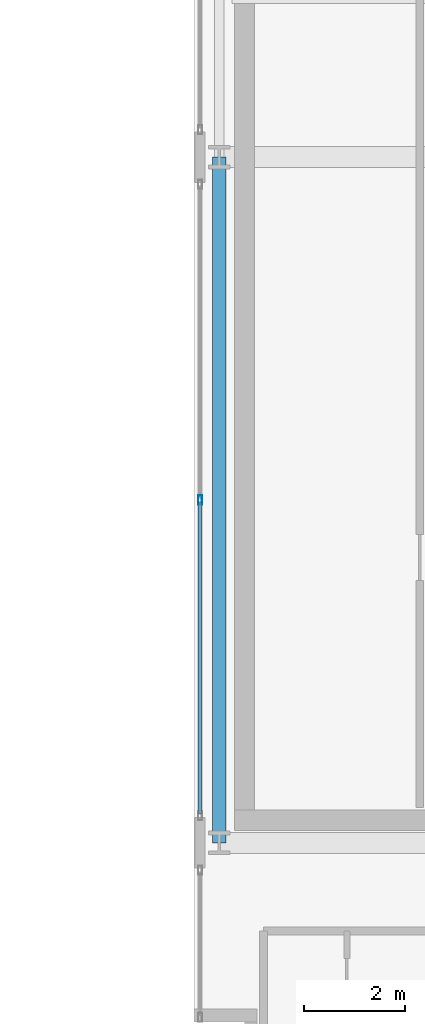
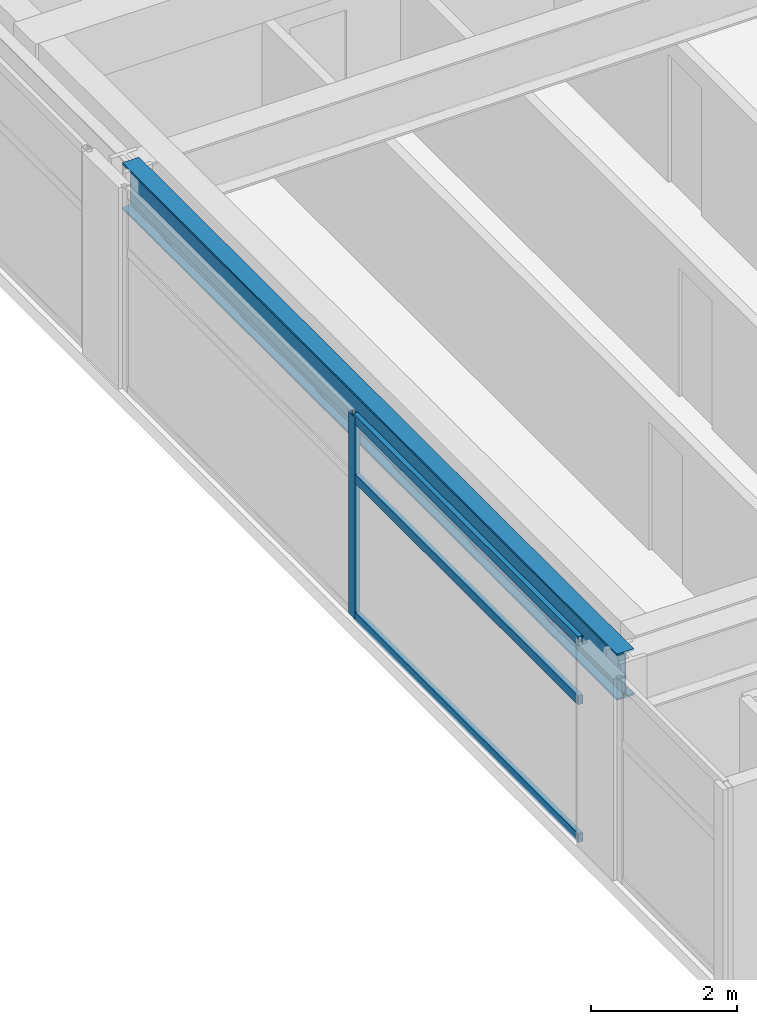
# One storey, part 9 of 25: 4 members, 1 beam, 1 element without a shape of its own.
"""IFC4 building model written with IfcOpenShell, lengths in metres."""

from ifc_helpers import new_model, si_unit, direction, frame, origin, origin_2d, place, context, subcontext, project, spatial, hollow_rectangle, i_section, extrude, source, transform, mapped, material, layer, layer_set, material_profile, profile_set, type_object, element, aggregate, save


model = new_model("IFC4")

# Units and contexts
model_context = context("Model", 3, precision=1e-05, world=origin(), true_north=direction((0.0, 1.0)))
body_context = subcontext(model_context, "Body", "Model", "MODEL_VIEW")
ifc_project = project(units=[si_unit("LENGTHUNIT", "METRE"), si_unit("AREAUNIT", "SQUARE_METRE"), si_unit("VOLUMEUNIT", "CUBIC_METRE"), si_unit("PLANEANGLEUNIT", "RADIAN"), si_unit("MASSUNIT", "GRAM", prefix="KILO")], contexts=[model_context])

# Site, building, storey
site_placement = place(None, origin())
site = spatial("IfcSite", under=ifc_project, at=site_placement, CompositionType="ELEMENT")
building_placement = place(site_placement, origin())
building = spatial("IfcBuilding", under=site, at=building_placement, Name="Ocotamira Hotel", CompositionType="ELEMENT")
storey_placement = place(building_placement, frame((0.0, 0.0, 254.39990234375)))
storey = spatial("IfcBuildingStorey", under=building, at=storey_placement, Name="L64", CompositionType="ELEMENT", Elevation=254.39990234375)

# Beam
ifc_material_1 = material(Name="Steel ASTM A992 Grade 50", Category="steel")
ifc_material_profile_1 = material_profile(ifc_material_1, i_section(OverallWidth=0.26611328125, OverallDepth=0.779052734375, WebThickness=0.0166015625, FlangeThickness=0.030029296875, FilletRadius=0.01806640625, at=origin_2d()), Name="W30X148")
ifc_profile_set_1 = profile_set([ifc_material_profile_1], Name="Steel ASTM A992 Grade 50")
beam_type = type_object("IfcBeamType", Name="BM-GIRD-W30X148", PredefinedType="BEAM", material=ifc_profile_set_1)
shared_shape_1 = source(origin(), body_context, "Body", "SweptSolid", [
    extrude(i_section(OverallWidth=0.26611328125, OverallDepth=0.779052734375, WebThickness=0.0166015625, FlangeThickness=0.030029296875, FilletRadius=0.01806640625, at=origin_2d()), origin(), (0.0, 0.0, 1.0), 13.599853515625),
])
beam_placement = place(storey_placement, frame((40.5, 14.550048828125, 2.990478515625), z_axis=(0.0, 1.0, 0.0), x_axis=(-1.0, 0.0, 0.0)))
element("IfcBeam", 1, at=beam_placement, inside=storey, type_object=beam_type, Name="L64 Beam X40.5 Y14.55-28.15", PredefinedType="BEAM", context=body_context, shape_type="MappedRepresentation", body=[
    mapped(shared_shape_1, transform((0.0, 0.0, 0.0), scale=1.0)),
])

# Curtain wall, members
ifc_material_2 = material(Name="Anodised pale-metal aluminium and solar glass", Category="aluminium")
ifc_layer = layer(ifc_material_2, 0.2099609375)
ifc_layer_set = layer_set([ifc_layer], Name="Anodised pale-metal aluminium and solar glass")
curtain_wall_type = type_object("IfcCurtainWallType", Name="CW-SYS7-PEAK", PredefinedType="NOTDEFINED", material=ifc_layer_set)
curtain_wall_placement = place(storey_placement, origin())
curtain_wall = element("IfcCurtainWall", 2, at=curtain_wall_placement, inside=storey, type_object=curtain_wall_type, Name="L64 Curtain Wall CW-7 CW-L64-EI2", PredefinedType="NOTDEFINED")
ifc_material_3 = material(Name="Anodised pale-metal aluminium 6063-T6", Category="aluminium")
ifc_material_profile_2 = material_profile(ifc_material_3, hollow_rectangle(XDim=0.080078125, YDim=0.179931640625, WallThickness=0.006103515625, at=origin_2d()), Name="HSS180X80X6")
ifc_profile_set_2 = profile_set([ifc_material_profile_2], Name="Anodised pale-metal aluminium 6063-T6")
member_type_1 = type_object("IfcMemberType", Name="CWM-180X75", PredefinedType="MULLION", material=ifc_profile_set_2)
shared_shape_2 = source(origin(), body_context, "Body", "SweptSolid", [
    extrude(hollow_rectangle(XDim=0.080078125, YDim=0.179931640625, WallThickness=0.006103515625, at=origin_2d()), origin(), (0.0, 0.0, 1.0), 3.380126953125),
])
member_1_placement = place(storey_placement, frame((40.1201171875, 21.35009765625, 0.0), z_axis=(0.0, 0.0, 1.0), x_axis=(-1.0, 0.0, 0.0)))
member_1 = element("IfcMember", 3, at=member_1_placement, type_object=member_type_1, Name="CW-7 mullion 2", PredefinedType="MULLION", context=body_context, shape_type="MappedRepresentation", body=[
    mapped(shared_shape_2, transform((0.0, 0.0, 0.0), scale=1.0)),
])
ifc_material_profile_3 = material_profile(ifc_material_3, hollow_rectangle(XDim=0.074951171875, YDim=0.14990234375, WallThickness=0.006103515625, at=origin_2d()), Name="HSS150X75X6")
ifc_profile_set_3 = profile_set([ifc_material_profile_3], Name="Anodised pale-metal aluminium 6063-T6")
member_type_2 = type_object("IfcMemberType", Name="CWT-150X75", PredefinedType="USERDEFINED", material=ifc_profile_set_3)
shared_shape_3 = source(origin(), body_context, "Body", "SweptSolid", [
    extrude(hollow_rectangle(XDim=0.074951171875, YDim=0.14990234375, WallThickness=0.006103515625, at=origin_2d()), origin(), (0.0, 0.0, 1.0), 6.18017578125),
])
member_2_placement = place(storey_placement, frame((40.1201171875, 15.1298828125, 0.03759765625), z_axis=(0.0, 1.0, 0.0), x_axis=(-1.0, 0.0, 0.0)))
member_2 = element("IfcMember", 4, at=member_2_placement, type_object=member_type_2, Name="CW-7 transom 1.1", ObjectType="TRANSOM", PredefinedType="USERDEFINED", context=body_context, shape_type="MappedRepresentation", body=[
    mapped(shared_shape_3, transform((0.0, 0.0, 0.0), scale=1.0)),
])
member_3_placement = place(storey_placement, frame((40.1201171875, 15.1298828125, 2.35009765625), z_axis=(0.0, 1.0, 0.0), x_axis=(-1.0, 0.0, 0.0)))
member_3 = element("IfcMember", 5, at=member_3_placement, type_object=member_type_2, Name="CW-7 transom 1.2", ObjectType="TRANSOM", PredefinedType="USERDEFINED", context=body_context, shape_type="MappedRepresentation", body=[
    mapped(shared_shape_3, transform((0.0, 0.0, 0.0), scale=1.0)),
])
member_4_placement = place(storey_placement, frame((40.1201171875, 15.1298828125, 3.342529296875), z_axis=(0.0, 1.0, 0.0), x_axis=(-1.0, 0.0, 0.0)))
member_4 = element("IfcMember", 6, at=member_4_placement, type_object=member_type_2, Name="CW-7 transom 1.3", ObjectType="TRANSOM", PredefinedType="USERDEFINED", context=body_context, shape_type="MappedRepresentation", body=[
    mapped(shared_shape_3, transform((0.0, 0.0, 0.0), scale=1.0)),
])
aggregate(curtain_wall, [member_1, member_2, member_3, member_4])

save(model, "model.ifc")
